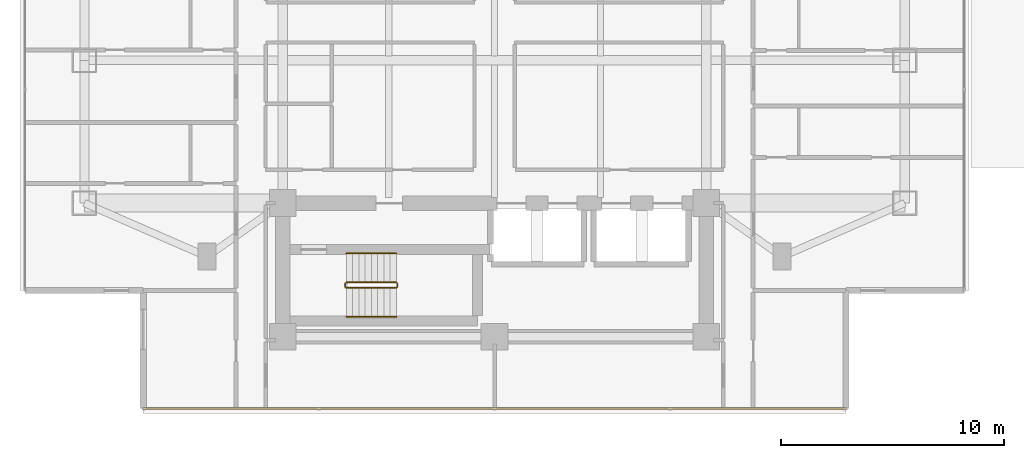
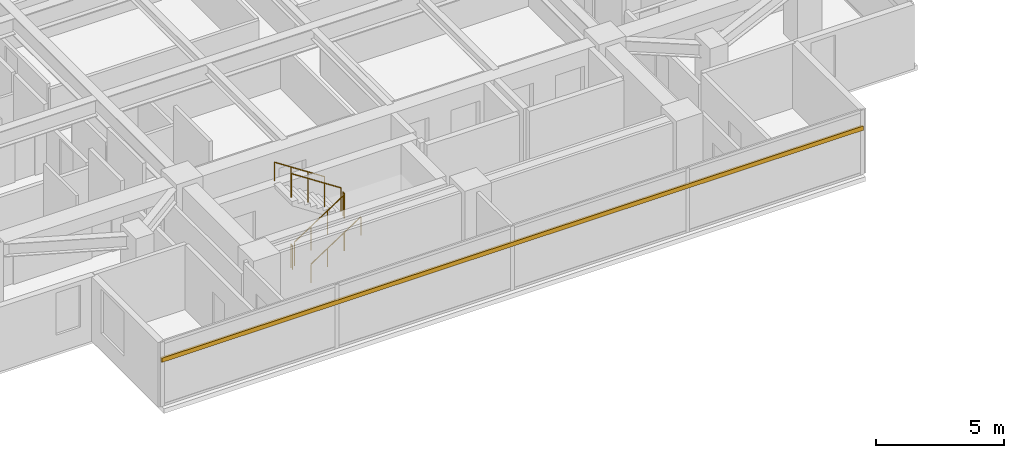
# One storey, part 21 of 26: 6 railings, 1 shading device.
"""IFC4 building model written with IfcOpenShell, lengths in metres."""

from ifc_helpers import new_model, si_unit, direction, frame, origin, origin_2d, place, context, subcontext, project, spatial, rectangle, circle, extrude, material, material_profile, profile_set, type_object, element, save


model = new_model("IFC4")

# Units and contexts
model_context = context("Model", 3, precision=1e-05, world=origin(), true_north=direction((0.0, 1.0)))
body_context = subcontext(model_context, "Body", "Model", "MODEL_VIEW")
ifc_project = project(units=[si_unit("LENGTHUNIT", "METRE"), si_unit("AREAUNIT", "SQUARE_METRE"), si_unit("VOLUMEUNIT", "CUBIC_METRE"), si_unit("PLANEANGLEUNIT", "RADIAN"), si_unit("MASSUNIT", "GRAM", prefix="KILO")], contexts=[model_context])

# Site, building, storey
site_placement = place(None, origin())
site = spatial("IfcSite", under=ifc_project, at=site_placement, CompositionType="ELEMENT")
building_placement = place(site_placement, origin())
building = spatial("IfcBuilding", under=site, at=building_placement, Name="Mirazonda Arch Towers", CompositionType="ELEMENT")
storey_placement = place(building_placement, frame((0.0, 0.0, 98.300048828125)))
storey = spatial("IfcBuildingStorey", under=building, at=storey_placement, Name="L27", CompositionType="ELEMENT", Elevation=98.300048828125)

# Shading device
ifc_material_1 = material(Name="Kiln-Fired Architectural Terracotta", Category="masonry")
ifc_material_profile = material_profile(ifc_material_1, rectangle(XDim=0.10009765625, YDim=0.199951171875, at=origin_2d()), Name="TERRA-BAG-100x200")
ifc_profile_set = profile_set([ifc_material_profile], Name="Kiln-Fired Architectural Terracotta")
shading_device_type = type_object("IfcShadingDeviceType", Name="BAGUETTE-2", PredefinedType="USERDEFINED", material=ifc_profile_set)
shading_device_placement = place(storey_placement, frame((36.264892578125, 9.176025390625, 2.203125), z_axis=(-1.0, 0.0, 0.0), x_axis=(0.0, -1.0, 0.0)))
element("IfcShadingDevice", 1, at=shading_device_placement, inside=storey, type_object=shading_device_type, Name="L27 Glazed Terracotta Sun-Screen Baguette CW-L27-T1-S", ObjectType="BAGUETTE", PredefinedType="USERDEFINED", context=body_context, shape_type="SweptSolid", body=[
    extrude(rectangle(XDim=0.10009765625, YDim=0.199951171875, at=origin_2d()), origin(), (0.0, 0.0, 1.0), 31.52978515625),
])

# Railings
ifc_material_2 = material(Name="Architectural Brushed Steel S355", Category="steel")
railing_type_1 = type_object("IfcRailingType", Name="GUARD-STAIR-1120", PredefinedType="GUARDRAIL", material=ifc_material_2)
railing_1_placement = place(storey_placement, frame((13.85009765625, 14.60009765625, 0.183349609375)))
element("IfcRailing", 2, at=railing_1_placement, inside=storey, type_object=railing_type_1, Name="L27 ST-T1S stair guard 1", PredefinedType="GUARDRAIL", context=body_context, shape_type="SweptSolid", body=[
    extrude(circle(Radius=0.02392578125, at=origin_2d()), frame((0.0, 0.0, 1.1259765625), z_axis=(0.836636935527, 0.0, 0.547757827979), x_axis=(0.0, 1.0, 0.0)), (0.0, 0.0, 1.0), 2.677490234375),
    extrude(circle(Radius=0.02099609375, at=origin_2d()), origin(), (0.0, 0.0, 1.0), 1.101806640625),
    extrude(circle(Radius=0.02099609375, at=origin_2d()), frame((0.74658203125, 0.0, 0.48876953125)), (0.0, 0.0, 1.0), 1.101806640625),
    extrude(circle(Radius=0.02099609375, at=origin_2d()), frame((1.493408203125, 0.0, 0.977783203125)), (0.0, 0.0, 1.0), 1.101806640625),
    extrude(circle(Radius=0.02099609375, at=origin_2d()), frame((2.239990234375, 0.0, 1.466552734375)), (0.0, 0.0, 1.0), 1.101806640625),
])
railing_2_placement = place(storey_placement, frame((16.139892578125, 14.64990234375, 1.64990234375)))
element("IfcRailing", 3, at=railing_2_placement, inside=storey, type_object=railing_type_1, Name="L27 ST-T1S stair guard 2", PredefinedType="GUARDRAIL", context=body_context, shape_type="SweptSolid", body=[
    extrude(circle(Radius=0.02392578125, at=origin_2d()), frame((0.0, 0.0, 1.1259765625), z_axis=(0.0, 1.0, 0.0), x_axis=(-1.0, 0.0, 0.0)), (0.0, 0.0, 1.0), 0.14013671875),
    extrude(circle(Radius=0.02099609375, at=origin_2d()), origin(), (0.0, 0.0, 1.0), 1.101806640625),
    extrude(circle(Radius=0.02099609375, at=origin_2d()), frame((0.0, 0.14013671875, 0.0)), (0.0, 0.0, 1.0), 1.101806640625),
])
railing_3_placement = place(storey_placement, frame((16.090087890625, 14.840087890625, 1.833251953125)))
element("IfcRailing", 4, at=railing_3_placement, inside=storey, type_object=railing_type_1, Name="L27 ST-T1S stair guard 3", PredefinedType="GUARDRAIL", context=body_context, shape_type="SweptSolid", body=[
    extrude(circle(Radius=0.02392578125, at=origin_2d()), frame((0.0, 0.0, 1.1259765625), z_axis=(-0.836595146698, 0.0, 0.547821650285), x_axis=(0.0, -1.0, 0.0)), (0.0, 0.0, 1.0), 2.677490234375),
    extrude(circle(Radius=0.02099609375, at=origin_2d()), origin(), (0.0, 0.0, 1.0), 1.101806640625),
    extrude(circle(Radius=0.02099609375, at=origin_2d()), frame((-0.74658203125, 0.0, 0.489013671875)), (0.0, 0.0, 1.0), 1.101806640625),
    extrude(circle(Radius=0.02099609375, at=origin_2d()), frame((-1.493408203125, 0.0, 0.977783203125)), (0.0, 0.0, 1.0), 1.101806640625),
    extrude(circle(Radius=0.02099609375, at=origin_2d()), frame((-2.239990234375, 0.0, 1.466796875)), (0.0, 0.0, 1.0), 1.101806640625),
])
railing_4_placement = place(storey_placement, frame((13.800048828125, 14.64990234375, 0.0)))
element("IfcRailing", 5, at=railing_4_placement, inside=storey, type_object=railing_type_1, Name="L27 ST-T1S stair guard 4", PredefinedType="GUARDRAIL", context=body_context, shape_type="SweptSolid", body=[
    extrude(circle(Radius=0.02392578125, at=origin_2d()), frame((0.0, 0.0, 1.1259765625), z_axis=(0.0, 1.0, 0.0), x_axis=(-1.0, 0.0, 0.0)), (0.0, 0.0, 1.0), 0.14013671875),
    extrude(circle(Radius=0.02099609375, at=origin_2d()), origin(), (0.0, 0.0, 1.0), 1.101806640625),
    extrude(circle(Radius=0.02099609375, at=origin_2d()), frame((0.0, 0.14013671875, 0.0)), (0.0, 0.0, 1.0), 1.101806640625),
])
railing_type_2 = type_object("IfcRailingType", Name="HANDRAIL-915", PredefinedType="HANDRAIL", material=ifc_material_2)
railing_5_placement = place(storey_placement, frame((13.85009765625, 13.300048828125, 0.183349609375)))
element("IfcRailing", 6, at=railing_5_placement, inside=storey, type_object=railing_type_2, Name="L27 ST-T1S stair handrail 1", PredefinedType="HANDRAIL", context=body_context, shape_type="SweptSolid", body=[
    extrude(circle(Radius=0.02392578125, at=origin_2d()), frame((0.0, 0.0, 0.8759765625), z_axis=(0.836636935527, 0.0, 0.547757827979), x_axis=(0.0, 1.0, 0.0)), (0.0, 0.0, 1.0), 2.677490234375),
    extrude(circle(Radius=0.02099609375, at=origin_2d()), origin(), (0.0, 0.0, 1.0), 0.851806640625),
    extrude(circle(Radius=0.02099609375, at=origin_2d()), frame((0.74658203125, 0.0, 0.48876953125)), (0.0, 0.0, 1.0), 0.851806640625),
    extrude(circle(Radius=0.02099609375, at=origin_2d()), frame((1.493408203125, 0.0, 0.977783203125)), (0.0, 0.0, 1.0), 0.851806640625),
    extrude(circle(Radius=0.02099609375, at=origin_2d()), frame((2.239990234375, 0.0, 1.466552734375)), (0.0, 0.0, 1.0), 0.851806640625),
])
railing_6_placement = place(storey_placement, frame((16.090087890625, 16.139892578125, 1.833251953125)))
element("IfcRailing", 7, at=railing_6_placement, inside=storey, type_object=railing_type_2, Name="L27 ST-T1S stair handrail 2", PredefinedType="HANDRAIL", context=body_context, shape_type="SweptSolid", body=[
    extrude(circle(Radius=0.02392578125, at=origin_2d()), frame((0.0, 0.0, 0.8759765625), z_axis=(-0.836595146698, 0.0, 0.547821650285), x_axis=(0.0, -1.0, 0.0)), (0.0, 0.0, 1.0), 2.677490234375),
    extrude(circle(Radius=0.02099609375, at=origin_2d()), origin(), (0.0, 0.0, 1.0), 0.851806640625),
    extrude(circle(Radius=0.02099609375, at=origin_2d()), frame((-0.74658203125, 0.0, 0.489013671875)), (0.0, 0.0, 1.0), 0.851806640625),
    extrude(circle(Radius=0.02099609375, at=origin_2d()), frame((-1.493408203125, 0.0, 0.977783203125)), (0.0, 0.0, 1.0), 0.851806640625),
    extrude(circle(Radius=0.02099609375, at=origin_2d()), frame((-2.239990234375, 0.0, 1.466796875)), (0.0, 0.0, 1.0), 0.851806640625),
])

save(model, "model.ifc")
